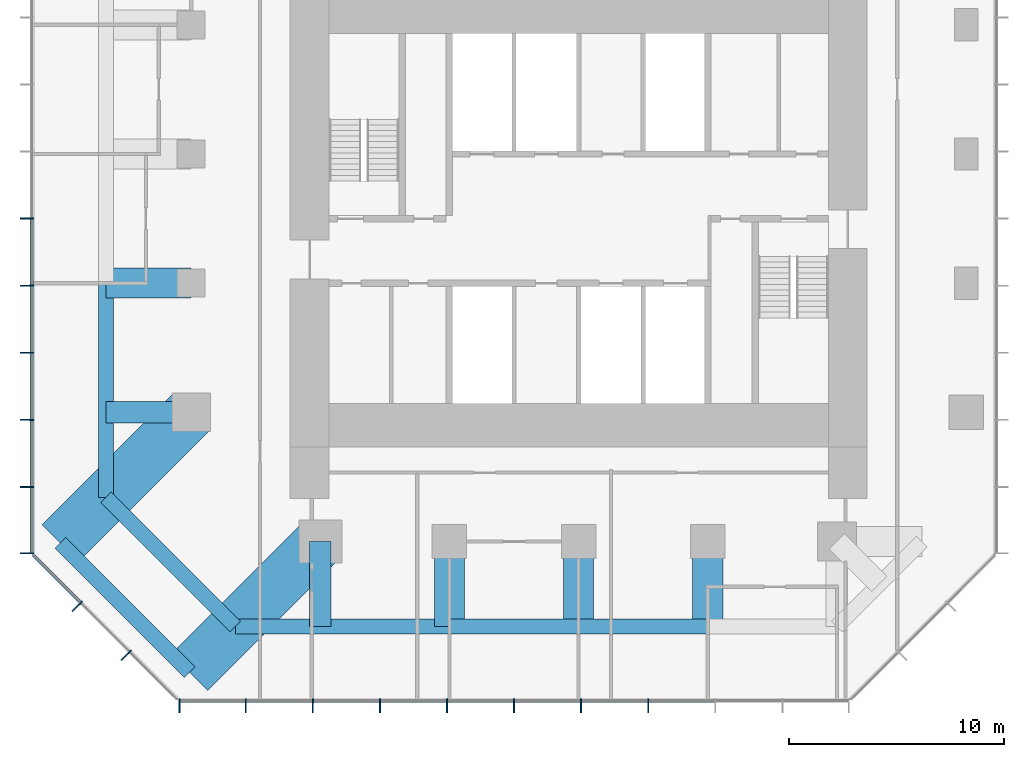
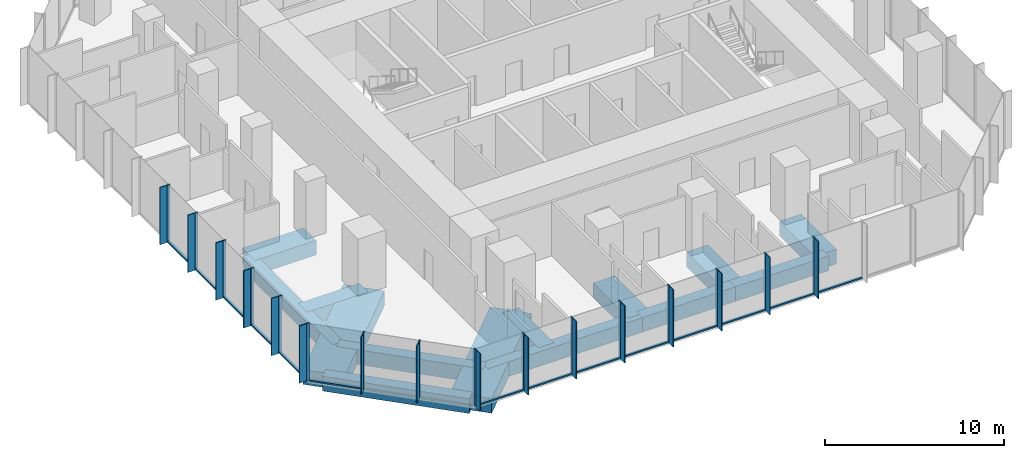
# One storey, part 2 of 11: 46 members, 14 beams, 3 elements without a shape of their own.
"""IFC4 building model written with IfcOpenShell, lengths in metres."""

from ifc_helpers import new_model, si_unit, direction, frame, origin, origin_2d, place, context, subcontext, project, spatial, rectangle, extrude, material, layer, layer_set, material_profile, profile_set, type_object, element, aggregate, save


model = new_model("IFC4")

# Units and contexts
model_context = context("Model", 3, precision=1e-05, world=origin(), true_north=direction((0.0, 1.0)))
body_context = subcontext(model_context, "Body", "Model", "MODEL_VIEW")
ifc_project = project(units=[si_unit("LENGTHUNIT", "METRE"), si_unit("AREAUNIT", "SQUARE_METRE"), si_unit("VOLUMEUNIT", "CUBIC_METRE"), si_unit("PLANEANGLEUNIT", "RADIAN"), si_unit("MASSUNIT", "GRAM", prefix="KILO")], contexts=[model_context])

# Site, building, storey
site_placement = place(None, origin())
site = spatial("IfcSite", under=ifc_project, at=site_placement, CompositionType="ELEMENT")
building_placement = place(site_placement, origin())
building = spatial("IfcBuilding", under=site, at=building_placement, Name="Highveld Stack Headquarters", CompositionType="ELEMENT")
storey_placement = place(building_placement, frame((0.0, 0.0, 216.199951171875)))
storey = spatial("IfcBuildingStorey", under=building, at=storey_placement, Name="L53", CompositionType="ELEMENT", Elevation=216.199951171875)

# Beams
ifc_material_1 = material(Name="Concrete C60/75", Category="concrete")
ifc_material_profile_1 = material_profile(ifc_material_1, rectangle(XDim=1.0, YDim=1.0, at=origin_2d()), Name="RC 1000x1000")
ifc_profile_set_1 = profile_set([ifc_material_profile_1], Name="Concrete C60/75")
beam_type_1 = type_object("IfcBeamType", Name="CANTILEVER RIB RC 1000x1000", PredefinedType="USERDEFINED", material=ifc_profile_set_1)
for number, where, z_axis, x_axis, name in (
    (1, (-12.0, -6.0, -0.75), (-1.0, 0.0, 0.0), (0.0, -1.0, 0.0), "Cantilever rib 4/D L53"),
    (2, (-6.0, -12.0, -0.75), (0.0, -1.0, 0.0), (1.0, 0.0, 0.0), "Cantilever rib 5/C L53"),
):
    element("IfcBeam", number, at=place(storey_placement, frame(where, z_axis=z_axis, x_axis=x_axis)), inside=storey, type_object=beam_type_1, Name=name, ObjectType="CANTILEVER RIB", PredefinedType="USERDEFINED", context=body_context, shape_type="SweptSolid", body=[
        extrude(rectangle(XDim=1.0, YDim=1.0, at=origin_2d()), origin(), (0.0, 0.0, 1.0), 3.949951171875),
    ])
ifc_material_2 = material(Name="Concrete C60/75", Category="concrete")
ifc_material_profile_2 = material_profile(ifc_material_2, rectangle(XDim=1.39990234375, YDim=1.0, at=origin_2d()), Name="RC 1400x1000")
ifc_profile_set_2 = profile_set([ifc_material_profile_2], Name="Concrete C60/75")
beam_type_2 = type_object("IfcBeamType", Name="CANTILEVER RIB RC 1400x1000", PredefinedType="USERDEFINED", material=ifc_profile_set_2)
for number, where, z_axis, x_axis, name in (
    (3, (-12.0, 0.0, -0.75), (-1.0, 0.0, 0.0), (0.0, -1.0, 0.0), "Cantilever rib 4/E L53"),
    (4, (0.0, -12.0, -0.75), (0.0, -1.0, 0.0), (1.0, 0.0, 0.0), "Cantilever rib 6/C L53"),
    (5, (6.0, -12.0, -0.75), (0.0, -1.0, 0.0), (1.0, 0.0, 0.0), "Cantilever rib 7/C L53"),
    (6, (12.0, -12.0, -0.75), (0.0, -1.0, 0.0), (1.0, 0.0, 0.0), "Cantilever rib 8/C L53"),
):
    element("IfcBeam", number, at=place(storey_placement, frame(where, z_axis=z_axis, x_axis=x_axis)), inside=storey, type_object=beam_type_2, Name=name, ObjectType="CANTILEVER RIB", PredefinedType="USERDEFINED", context=body_context, shape_type="SweptSolid", body=[
        extrude(rectangle(XDim=1.39990234375, YDim=1.0, at=origin_2d()), origin(), (0.0, 0.0, 1.0), 3.949951171875),
    ])
ifc_material_3 = material(Name="Concrete C60/75", Category="concrete")
ifc_material_profile_3 = material_profile(ifc_material_3, rectangle(XDim=2.39990234375, YDim=1.0, at=origin_2d()), Name="RC 2400x1000")
ifc_profile_set_3 = profile_set([ifc_material_profile_3], Name="Concrete C60/75")
beam_type_3 = type_object("IfcBeamType", Name="CANTILEVER RIB RC 2400x1000", PredefinedType="USERDEFINED", material=ifc_profile_set_3)
for number, where, z_axis, x_axis, name in (
    (7, (-12.0, -6.0, -0.75), (-0.707106781187, -0.707106781187, 0.0), (0.707106781187, -0.707106781187, 0.0), "Cantilever rib 4/D L53"),
    (8, (-6.0, -12.0, -0.75), (-0.707106781187, -0.707106781187, 0.0), (0.707106781187, -0.707106781187, 0.0), "Cantilever rib 5/C L53"),
):
    element("IfcBeam", number, at=place(storey_placement, frame(where, z_axis=z_axis, x_axis=x_axis)), inside=storey, type_object=beam_type_3, Name=name, ObjectType="CANTILEVER RIB", PredefinedType="USERDEFINED", context=body_context, shape_type="SweptSolid", body=[
        extrude(rectangle(XDim=2.39990234375, YDim=1.0, at=origin_2d()), origin(), (0.0, 0.0, 1.0), 8.585693359375),
    ])

# Curtain wall, members
ifc_material_4 = material(Name="Aluminium bronze anodised", Category="aluminium")
ifc_layer_1 = layer(ifc_material_4, 0.199951171875)
ifc_layer_set_1 = layer_set([ifc_layer_1], Name="Aluminium bronze anodised")
curtain_wall_type_1 = type_object("IfcCurtainWallType", Name="CW1 TOWER UNITISED CURTAIN WALL", PredefinedType="NOTDEFINED", material=ifc_layer_set_1)
curtain_wall_1_placement = place(storey_placement, origin())
curtain_wall_1 = element("IfcCurtainWall", 9, at=curtain_wall_1_placement, inside=storey, type_object=curtain_wall_type_1, Name="Curtain wall CW1 L53 S", PredefinedType="NOTDEFINED")
ifc_material_5 = material(Name="Aluminium bronze anodised", Category="aluminium")
ifc_material_profile_4 = material_profile(ifc_material_5, rectangle(XDim=0.449951171875, YDim=0.06005859375, at=origin_2d()), Name="FIN 450x60")
ifc_profile_set_4 = profile_set([ifc_material_profile_4], Name="Aluminium bronze anodised")
member_type_1 = type_object("IfcMemberType", Name="CW1 BRONZE FIN 450x60", PredefinedType="USERDEFINED", material=ifc_profile_set_4)
member_1_placement = place(storey_placement, frame((-12.54736328125, -19.72509765625, 0.0), z_axis=(0.0, 0.0, 1.0), x_axis=(0.0, 1.0, 0.0)))
member_1 = element("IfcMember", 10, at=member_1_placement, type_object=member_type_1, Name="CW1 fin L53 1", ObjectType="FIN", PredefinedType="USERDEFINED", context=body_context, shape_type="SweptSolid", body=[
    extrude(rectangle(XDim=0.449951171875, YDim=0.06005859375, at=origin_2d()), origin(), (0.0, 0.0, 1.0), 3.900146484375),
])
member_2_placement = place(storey_placement, frame((-9.4638671875, -19.72509765625, 0.0), z_axis=(0.0, 0.0, 1.0), x_axis=(0.0, 1.0, 0.0)))
member_2 = element("IfcMember", 11, at=member_2_placement, type_object=member_type_1, Name="CW1 fin L53 2", ObjectType="FIN", PredefinedType="USERDEFINED", context=body_context, shape_type="SweptSolid", body=[
    extrude(rectangle(XDim=0.449951171875, YDim=0.06005859375, at=origin_2d()), origin(), (0.0, 0.0, 1.0), 3.900146484375),
])
member_3_placement = place(storey_placement, frame((-6.347900390625, -19.72509765625, 0.0), z_axis=(0.0, 0.0, 1.0), x_axis=(0.0, 1.0, 0.0)))
member_3 = element("IfcMember", 12, at=member_3_placement, type_object=member_type_1, Name="CW1 fin L53 3", ObjectType="FIN", PredefinedType="USERDEFINED", context=body_context, shape_type="SweptSolid", body=[
    extrude(rectangle(XDim=0.449951171875, YDim=0.06005859375, at=origin_2d()), origin(), (0.0, 0.0, 1.0), 3.900146484375),
])
member_4_placement = place(storey_placement, frame((-3.23193359375, -19.72509765625, 0.0), z_axis=(0.0, 0.0, 1.0), x_axis=(0.0, 1.0, 0.0)))
member_4 = element("IfcMember", 13, at=member_4_placement, type_object=member_type_1, Name="CW1 fin L53 4", ObjectType="FIN", PredefinedType="USERDEFINED", context=body_context, shape_type="SweptSolid", body=[
    extrude(rectangle(XDim=0.449951171875, YDim=0.06005859375, at=origin_2d()), origin(), (0.0, 0.0, 1.0), 3.900146484375),
])
member_5_placement = place(storey_placement, frame((-0.115966796875, -19.72509765625, 0.0), z_axis=(0.0, 0.0, 1.0), x_axis=(0.0, 1.0, 0.0)))
member_5 = element("IfcMember", 14, at=member_5_placement, type_object=member_type_1, Name="CW1 fin L53 5", ObjectType="FIN", PredefinedType="USERDEFINED", context=body_context, shape_type="SweptSolid", body=[
    extrude(rectangle(XDim=0.449951171875, YDim=0.06005859375, at=origin_2d()), origin(), (0.0, 0.0, 1.0), 3.900146484375),
])
member_6_placement = place(storey_placement, frame((3.0, -19.72509765625, 0.0), z_axis=(0.0, 0.0, 1.0), x_axis=(0.0, 1.0, 0.0)))
member_6 = element("IfcMember", 15, at=member_6_placement, type_object=member_type_1, Name="CW1 fin L53 6", ObjectType="FIN", PredefinedType="USERDEFINED", context=body_context, shape_type="SweptSolid", body=[
    extrude(rectangle(XDim=0.449951171875, YDim=0.06005859375, at=origin_2d()), origin(), (0.0, 0.0, 1.0), 3.900146484375),
])
member_7_placement = place(storey_placement, frame((6.115966796875, -19.72509765625, 0.0), z_axis=(0.0, 0.0, 1.0), x_axis=(0.0, 1.0, 0.0)))
member_7 = element("IfcMember", 16, at=member_7_placement, type_object=member_type_1, Name="CW1 fin L53 7", ObjectType="FIN", PredefinedType="USERDEFINED", context=body_context, shape_type="SweptSolid", body=[
    extrude(rectangle(XDim=0.449951171875, YDim=0.06005859375, at=origin_2d()), origin(), (0.0, 0.0, 1.0), 3.900146484375),
])
member_8_placement = place(storey_placement, frame((9.23193359375, -19.72509765625, 0.0), z_axis=(0.0, 0.0, 1.0), x_axis=(0.0, 1.0, 0.0)))
member_8 = element("IfcMember", 17, at=member_8_placement, type_object=member_type_1, Name="CW1 fin L53 8", ObjectType="FIN", PredefinedType="USERDEFINED", context=body_context, shape_type="SweptSolid", body=[
    extrude(rectangle(XDim=0.449951171875, YDim=0.06005859375, at=origin_2d()), origin(), (0.0, 0.0, 1.0), 3.900146484375),
])

curtain_wall_2_placement = place(storey_placement, origin())
curtain_wall_2 = element("IfcCurtainWall", 18, at=curtain_wall_2_placement, inside=storey, type_object=curtain_wall_type_1, Name="Curtain wall CW1 L53 W", PredefinedType="NOTDEFINED")
member_9_placement = place(storey_placement, frame((-19.72509765625, 3.0, 0.0), z_axis=(0.0, 0.0, 1.0), x_axis=(1.0, 0.0, 0.0)))
member_9 = element("IfcMember", 19, at=member_9_placement, type_object=member_type_1, Name="CW1 fin L53 6", ObjectType="FIN", PredefinedType="USERDEFINED", context=body_context, shape_type="SweptSolid", body=[
    extrude(rectangle(XDim=0.449951171875, YDim=0.06005859375, at=origin_2d()), origin(), (0.0, 0.0, 1.0), 3.900146484375),
])
member_10_placement = place(storey_placement, frame((-19.72509765625, -0.115966796875, 0.0), z_axis=(0.0, 0.0, 1.0), x_axis=(1.0, 0.0, 0.0)))
member_10 = element("IfcMember", 20, at=member_10_placement, type_object=member_type_1, Name="CW1 fin L53 7", ObjectType="FIN", PredefinedType="USERDEFINED", context=body_context, shape_type="SweptSolid", body=[
    extrude(rectangle(XDim=0.449951171875, YDim=0.06005859375, at=origin_2d()), origin(), (0.0, 0.0, 1.0), 3.900146484375),
])
member_11_placement = place(storey_placement, frame((-19.72509765625, -3.23193359375, 0.0), z_axis=(0.0, 0.0, 1.0), x_axis=(1.0, 0.0, 0.0)))
member_11 = element("IfcMember", 21, at=member_11_placement, type_object=member_type_1, Name="CW1 fin L53 8", ObjectType="FIN", PredefinedType="USERDEFINED", context=body_context, shape_type="SweptSolid", body=[
    extrude(rectangle(XDim=0.449951171875, YDim=0.06005859375, at=origin_2d()), origin(), (0.0, 0.0, 1.0), 3.900146484375),
])
member_12_placement = place(storey_placement, frame((-19.72509765625, -6.347900390625, 0.0), z_axis=(0.0, 0.0, 1.0), x_axis=(1.0, 0.0, 0.0)))
member_12 = element("IfcMember", 22, at=member_12_placement, type_object=member_type_1, Name="CW1 fin L53 9", ObjectType="FIN", PredefinedType="USERDEFINED", context=body_context, shape_type="SweptSolid", body=[
    extrude(rectangle(XDim=0.449951171875, YDim=0.06005859375, at=origin_2d()), origin(), (0.0, 0.0, 1.0), 3.900146484375),
])
member_13_placement = place(storey_placement, frame((-19.72509765625, -9.4638671875, 0.0), z_axis=(0.0, 0.0, 1.0), x_axis=(1.0, 0.0, 0.0)))
member_13 = element("IfcMember", 23, at=member_13_placement, type_object=member_type_1, Name="CW1 fin L53 10", ObjectType="FIN", PredefinedType="USERDEFINED", context=body_context, shape_type="SweptSolid", body=[
    extrude(rectangle(XDim=0.449951171875, YDim=0.06005859375, at=origin_2d()), origin(), (0.0, 0.0, 1.0), 3.900146484375),
])
member_14_placement = place(storey_placement, frame((-19.72509765625, -12.54736328125, 0.0), z_axis=(0.0, 0.0, 1.0), x_axis=(1.0, 0.0, 0.0)))
member_14 = element("IfcMember", 24, at=member_14_placement, type_object=member_type_1, Name="CW1 fin L53 11", ObjectType="FIN", PredefinedType="USERDEFINED", context=body_context, shape_type="SweptSolid", body=[
    extrude(rectangle(XDim=0.449951171875, YDim=0.06005859375, at=origin_2d()), origin(), (0.0, 0.0, 1.0), 3.900146484375),
])

# Member
ifc_material_6 = material(Name="Aluminium bronze anodised", Category="aluminium")
ifc_material_profile_5 = material_profile(ifc_material_6, rectangle(XDim=0.199951171875, YDim=0.06494140625, at=origin_2d()), Name="CW1 MULLION 65x200")
ifc_profile_set_5 = profile_set([ifc_material_profile_5], Name="Aluminium bronze anodised")
member_type_2 = type_object("IfcMemberType", Name="CW1 MULLION 65x200", PredefinedType="MULLION", material=ifc_profile_set_5)
member_15_placement = place(storey_placement, frame((-12.54736328125, -19.39990234375, 0.0), z_axis=(0.0, 0.0, 1.0), x_axis=(0.0, 1.0, 0.0)))
member_15 = element("IfcMember", 25, at=member_15_placement, type_object=member_type_2, Name="CW1 mullion L53 1", PredefinedType="MULLION", context=body_context, shape_type="SweptSolid", body=[
    extrude(rectangle(XDim=0.199951171875, YDim=0.06494140625, at=origin_2d()), origin(), (0.0, 0.0, 1.0), 3.900146484375),
])

member_16_placement = place(storey_placement, frame((-9.4638671875, -19.39990234375, 0.0), z_axis=(0.0, 0.0, 1.0), x_axis=(0.0, 1.0, 0.0)))
member_16 = element("IfcMember", 26, at=member_16_placement, type_object=member_type_2, Name="CW1 mullion L53 2", PredefinedType="MULLION", context=body_context, shape_type="SweptSolid", body=[
    extrude(rectangle(XDim=0.199951171875, YDim=0.06494140625, at=origin_2d()), origin(), (0.0, 0.0, 1.0), 3.900146484375),
])

member_17_placement = place(storey_placement, frame((-6.347900390625, -19.39990234375, 0.0), z_axis=(0.0, 0.0, 1.0), x_axis=(0.0, 1.0, 0.0)))
member_17 = element("IfcMember", 27, at=member_17_placement, type_object=member_type_2, Name="CW1 mullion L53 3", PredefinedType="MULLION", context=body_context, shape_type="SweptSolid", body=[
    extrude(rectangle(XDim=0.199951171875, YDim=0.06494140625, at=origin_2d()), origin(), (0.0, 0.0, 1.0), 3.900146484375),
])

member_18_placement = place(storey_placement, frame((-3.23193359375, -19.39990234375, 0.0), z_axis=(0.0, 0.0, 1.0), x_axis=(0.0, 1.0, 0.0)))
member_18 = element("IfcMember", 28, at=member_18_placement, type_object=member_type_2, Name="CW1 mullion L53 4", PredefinedType="MULLION", context=body_context, shape_type="SweptSolid", body=[
    extrude(rectangle(XDim=0.199951171875, YDim=0.06494140625, at=origin_2d()), origin(), (0.0, 0.0, 1.0), 3.900146484375),
])

member_19_placement = place(storey_placement, frame((-0.115966796875, -19.39990234375, 0.0), z_axis=(0.0, 0.0, 1.0), x_axis=(0.0, 1.0, 0.0)))
member_19 = element("IfcMember", 29, at=member_19_placement, type_object=member_type_2, Name="CW1 mullion L53 5", PredefinedType="MULLION", context=body_context, shape_type="SweptSolid", body=[
    extrude(rectangle(XDim=0.199951171875, YDim=0.06494140625, at=origin_2d()), origin(), (0.0, 0.0, 1.0), 3.900146484375),
])

member_20_placement = place(storey_placement, frame((3.0, -19.39990234375, 0.0), z_axis=(0.0, 0.0, 1.0), x_axis=(0.0, 1.0, 0.0)))
member_20 = element("IfcMember", 30, at=member_20_placement, type_object=member_type_2, Name="CW1 mullion L53 6", PredefinedType="MULLION", context=body_context, shape_type="SweptSolid", body=[
    extrude(rectangle(XDim=0.199951171875, YDim=0.06494140625, at=origin_2d()), origin(), (0.0, 0.0, 1.0), 3.900146484375),
])

member_21_placement = place(storey_placement, frame((6.115966796875, -19.39990234375, 0.0), z_axis=(0.0, 0.0, 1.0), x_axis=(0.0, 1.0, 0.0)))
member_21 = element("IfcMember", 31, at=member_21_placement, type_object=member_type_2, Name="CW1 mullion L53 7", PredefinedType="MULLION", context=body_context, shape_type="SweptSolid", body=[
    extrude(rectangle(XDim=0.199951171875, YDim=0.06494140625, at=origin_2d()), origin(), (0.0, 0.0, 1.0), 3.900146484375),
])

member_22_placement = place(storey_placement, frame((9.23193359375, -19.39990234375, 0.0), z_axis=(0.0, 0.0, 1.0), x_axis=(0.0, 1.0, 0.0)))
member_22 = element("IfcMember", 32, at=member_22_placement, type_object=member_type_2, Name="CW1 mullion L53 8", PredefinedType="MULLION", context=body_context, shape_type="SweptSolid", body=[
    extrude(rectangle(XDim=0.199951171875, YDim=0.06494140625, at=origin_2d()), origin(), (0.0, 0.0, 1.0), 3.900146484375),
])

member_23_placement = place(storey_placement, frame((-19.39990234375, 3.0, 0.0), z_axis=(0.0, 0.0, 1.0), x_axis=(1.0, 0.0, 0.0)))
member_23 = element("IfcMember", 33, at=member_23_placement, type_object=member_type_2, Name="CW1 mullion L53 6", PredefinedType="MULLION", context=body_context, shape_type="SweptSolid", body=[
    extrude(rectangle(XDim=0.199951171875, YDim=0.06494140625, at=origin_2d()), origin(), (0.0, 0.0, 1.0), 3.900146484375),
])

member_24_placement = place(storey_placement, frame((-19.39990234375, -0.115966796875, 0.0), z_axis=(0.0, 0.0, 1.0), x_axis=(1.0, 0.0, 0.0)))
member_24 = element("IfcMember", 34, at=member_24_placement, type_object=member_type_2, Name="CW1 mullion L53 7", PredefinedType="MULLION", context=body_context, shape_type="SweptSolid", body=[
    extrude(rectangle(XDim=0.199951171875, YDim=0.06494140625, at=origin_2d()), origin(), (0.0, 0.0, 1.0), 3.900146484375),
])

member_25_placement = place(storey_placement, frame((-19.39990234375, -3.23193359375, 0.0), z_axis=(0.0, 0.0, 1.0), x_axis=(1.0, 0.0, 0.0)))
member_25 = element("IfcMember", 35, at=member_25_placement, type_object=member_type_2, Name="CW1 mullion L53 8", PredefinedType="MULLION", context=body_context, shape_type="SweptSolid", body=[
    extrude(rectangle(XDim=0.199951171875, YDim=0.06494140625, at=origin_2d()), origin(), (0.0, 0.0, 1.0), 3.900146484375),
])

member_26_placement = place(storey_placement, frame((-19.39990234375, -6.347900390625, 0.0), z_axis=(0.0, 0.0, 1.0), x_axis=(1.0, 0.0, 0.0)))
member_26 = element("IfcMember", 36, at=member_26_placement, type_object=member_type_2, Name="CW1 mullion L53 9", PredefinedType="MULLION", context=body_context, shape_type="SweptSolid", body=[
    extrude(rectangle(XDim=0.199951171875, YDim=0.06494140625, at=origin_2d()), origin(), (0.0, 0.0, 1.0), 3.900146484375),
])

member_27_placement = place(storey_placement, frame((-19.39990234375, -9.4638671875, 0.0), z_axis=(0.0, 0.0, 1.0), x_axis=(1.0, 0.0, 0.0)))
member_27 = element("IfcMember", 37, at=member_27_placement, type_object=member_type_2, Name="CW1 mullion L53 10", PredefinedType="MULLION", context=body_context, shape_type="SweptSolid", body=[
    extrude(rectangle(XDim=0.199951171875, YDim=0.06494140625, at=origin_2d()), origin(), (0.0, 0.0, 1.0), 3.900146484375),
])

member_28_placement = place(storey_placement, frame((-19.39990234375, -12.54736328125, 0.0), z_axis=(0.0, 0.0, 1.0), x_axis=(1.0, 0.0, 0.0)))
member_28 = element("IfcMember", 38, at=member_28_placement, type_object=member_type_2, Name="CW1 mullion L53 11", PredefinedType="MULLION", context=body_context, shape_type="SweptSolid", body=[
    extrude(rectangle(XDim=0.199951171875, YDim=0.06494140625, at=origin_2d()), origin(), (0.0, 0.0, 1.0), 3.900146484375),
])

ifc_material_7 = material(Name="Aluminium bronze anodised", Category="aluminium")
ifc_material_profile_6 = material_profile(ifc_material_7, rectangle(XDim=0.14990234375, YDim=0.10009765625, at=origin_2d()), Name="CW1 TRANSOM 150x100")
ifc_profile_set_6 = profile_set([ifc_material_profile_6], Name="Aluminium bronze anodised")
member_type_3 = type_object("IfcMemberType", Name="CW1 STACK TRANSOM 150x100", PredefinedType="USERDEFINED", material=ifc_profile_set_6)
member_29_placement = place(storey_placement, frame((-12.514892578125, -19.39990234375, 0.050048828125), z_axis=(1.0, 0.0, 0.0), x_axis=(0.0, 1.0, 0.0)))
member_29 = element("IfcMember", 39, at=member_29_placement, type_object=member_type_3, Name="CW1 transom L53 1.1", ObjectType="TRANSOM", PredefinedType="USERDEFINED", context=body_context, shape_type="SweptSolid", body=[
    extrude(rectangle(XDim=0.14990234375, YDim=0.10009765625, at=origin_2d()), origin(), (0.0, 0.0, 1.0), 3.0185546875),
])

member_30_placement = place(storey_placement, frame((-9.431396484375, -19.39990234375, 0.050048828125), z_axis=(1.0, 0.0, 0.0), x_axis=(0.0, 1.0, 0.0)))
member_30 = element("IfcMember", 40, at=member_30_placement, type_object=member_type_3, Name="CW1 transom L53 2.1", ObjectType="TRANSOM", PredefinedType="USERDEFINED", context=body_context, shape_type="SweptSolid", body=[
    extrude(rectangle(XDim=0.14990234375, YDim=0.10009765625, at=origin_2d()), origin(), (0.0, 0.0, 1.0), 3.051025390625),
])

member_31_placement = place(storey_placement, frame((-6.3154296875, -19.39990234375, 0.050048828125), z_axis=(1.0, 0.0, 0.0), x_axis=(0.0, 1.0, 0.0)))
member_31 = element("IfcMember", 41, at=member_31_placement, type_object=member_type_3, Name="CW1 transom L53 3.1", ObjectType="TRANSOM", PredefinedType="USERDEFINED", context=body_context, shape_type="SweptSolid", body=[
    extrude(rectangle(XDim=0.14990234375, YDim=0.10009765625, at=origin_2d()), origin(), (0.0, 0.0, 1.0), 3.051025390625),
])

member_32_placement = place(storey_placement, frame((-3.199462890625, -19.39990234375, 0.050048828125), z_axis=(1.0, 0.0, 0.0), x_axis=(0.0, 1.0, 0.0)))
member_32 = element("IfcMember", 42, at=member_32_placement, type_object=member_type_3, Name="CW1 transom L53 4.1", ObjectType="TRANSOM", PredefinedType="USERDEFINED", context=body_context, shape_type="SweptSolid", body=[
    extrude(rectangle(XDim=0.14990234375, YDim=0.10009765625, at=origin_2d()), origin(), (0.0, 0.0, 1.0), 3.051025390625),
])

member_33_placement = place(storey_placement, frame((-0.08349609375, -19.39990234375, 0.050048828125), z_axis=(1.0, 0.0, 0.0), x_axis=(0.0, 1.0, 0.0)))
member_33 = element("IfcMember", 43, at=member_33_placement, type_object=member_type_3, Name="CW1 transom L53 5.1", ObjectType="TRANSOM", PredefinedType="USERDEFINED", context=body_context, shape_type="SweptSolid", body=[
    extrude(rectangle(XDim=0.14990234375, YDim=0.10009765625, at=origin_2d()), origin(), (0.0, 0.0, 1.0), 3.051025390625),
])

member_34_placement = place(storey_placement, frame((3.032470703125, -19.39990234375, 0.050048828125), z_axis=(1.0, 0.0, 0.0), x_axis=(0.0, 1.0, 0.0)))
member_34 = element("IfcMember", 44, at=member_34_placement, type_object=member_type_3, Name="CW1 transom L53 6.1", ObjectType="TRANSOM", PredefinedType="USERDEFINED", context=body_context, shape_type="SweptSolid", body=[
    extrude(rectangle(XDim=0.14990234375, YDim=0.10009765625, at=origin_2d()), origin(), (0.0, 0.0, 1.0), 3.051025390625),
])

member_35_placement = place(storey_placement, frame((6.1484375, -19.39990234375, 0.050048828125), z_axis=(1.0, 0.0, 0.0), x_axis=(0.0, 1.0, 0.0)))
member_35 = element("IfcMember", 45, at=member_35_placement, type_object=member_type_3, Name="CW1 transom L53 7.1", ObjectType="TRANSOM", PredefinedType="USERDEFINED", context=body_context, shape_type="SweptSolid", body=[
    extrude(rectangle(XDim=0.14990234375, YDim=0.10009765625, at=origin_2d()), origin(), (0.0, 0.0, 1.0), 3.051025390625),
])

member_36_placement = place(storey_placement, frame((9.264404296875, -19.39990234375, 0.050048828125), z_axis=(1.0, 0.0, 0.0), x_axis=(0.0, 1.0, 0.0)))
member_36 = element("IfcMember", 46, at=member_36_placement, type_object=member_type_3, Name="CW1 transom L53 8.1", ObjectType="TRANSOM", PredefinedType="USERDEFINED", context=body_context, shape_type="SweptSolid", body=[
    extrude(rectangle(XDim=0.14990234375, YDim=0.10009765625, at=origin_2d()), origin(), (0.0, 0.0, 1.0), 3.051025390625),
])

aggregate(curtain_wall_1, [member_15, member_1, member_16, member_2, member_17, member_3, member_18, member_4, member_19, member_5, member_20, member_6, member_21, member_7, member_22, member_8, member_29, member_30, member_31, member_32, member_33, member_34, member_35, member_36])

member_37_placement = place(storey_placement, frame((-19.39990234375, 2.967529296875, 0.050048828125), z_axis=(0.0, -1.0, 0.0), x_axis=(1.0, 0.0, 0.0)))
member_37 = element("IfcMember", 47, at=member_37_placement, type_object=member_type_3, Name="CW1 transom L53 6.1", ObjectType="TRANSOM", PredefinedType="USERDEFINED", context=body_context, shape_type="SweptSolid", body=[
    extrude(rectangle(XDim=0.14990234375, YDim=0.10009765625, at=origin_2d()), origin(), (0.0, 0.0, 1.0), 3.051025390625),
])

member_38_placement = place(storey_placement, frame((-19.39990234375, -0.1484375, 0.050048828125), z_axis=(0.0, -1.0, 0.0), x_axis=(1.0, 0.0, 0.0)))
member_38 = element("IfcMember", 48, at=member_38_placement, type_object=member_type_3, Name="CW1 transom L53 7.1", ObjectType="TRANSOM", PredefinedType="USERDEFINED", context=body_context, shape_type="SweptSolid", body=[
    extrude(rectangle(XDim=0.14990234375, YDim=0.10009765625, at=origin_2d()), origin(), (0.0, 0.0, 1.0), 3.051025390625),
])

member_39_placement = place(storey_placement, frame((-19.39990234375, -3.264404296875, 0.050048828125), z_axis=(0.0, -1.0, 0.0), x_axis=(1.0, 0.0, 0.0)))
member_39 = element("IfcMember", 49, at=member_39_placement, type_object=member_type_3, Name="CW1 transom L53 8.1", ObjectType="TRANSOM", PredefinedType="USERDEFINED", context=body_context, shape_type="SweptSolid", body=[
    extrude(rectangle(XDim=0.14990234375, YDim=0.10009765625, at=origin_2d()), origin(), (0.0, 0.0, 1.0), 3.051025390625),
])

member_40_placement = place(storey_placement, frame((-19.39990234375, -6.38037109375, 0.050048828125), z_axis=(0.0, -1.0, 0.0), x_axis=(1.0, 0.0, 0.0)))
member_40 = element("IfcMember", 50, at=member_40_placement, type_object=member_type_3, Name="CW1 transom L53 9.1", ObjectType="TRANSOM", PredefinedType="USERDEFINED", context=body_context, shape_type="SweptSolid", body=[
    extrude(rectangle(XDim=0.14990234375, YDim=0.10009765625, at=origin_2d()), origin(), (0.0, 0.0, 1.0), 3.051025390625),
])

member_41_placement = place(storey_placement, frame((-19.39990234375, -9.496337890625, 0.050048828125), z_axis=(0.0, -1.0, 0.0), x_axis=(1.0, 0.0, 0.0)))
member_41 = element("IfcMember", 51, at=member_41_placement, type_object=member_type_3, Name="CW1 transom L53 10.1", ObjectType="TRANSOM", PredefinedType="USERDEFINED", context=body_context, shape_type="SweptSolid", body=[
    extrude(rectangle(XDim=0.14990234375, YDim=0.10009765625, at=origin_2d()), origin(), (0.0, 0.0, 1.0), 3.0185546875),
])

aggregate(curtain_wall_2, [member_23, member_9, member_24, member_10, member_25, member_11, member_26, member_12, member_27, member_13, member_28, member_14, member_37, member_38, member_39, member_40, member_41])

# Curtain wall, members
ifc_material_8 = material(Name="Aluminium bronze anodised", Category="aluminium")
ifc_layer_2 = layer(ifc_material_8, 0.199951171875)
ifc_layer_set_2 = layer_set([ifc_layer_2], Name="Aluminium bronze anodised")
curtain_wall_type_2 = type_object("IfcCurtainWallType", Name="CW2 TOWER CHAMFER UNITISED CURTAIN WALL", PredefinedType="NOTDEFINED", material=ifc_layer_set_2)
curtain_wall_3_placement = place(storey_placement, origin())
curtain_wall_3 = element("IfcCurtainWall", 52, at=curtain_wall_3_placement, inside=storey, type_object=curtain_wall_type_2, Name="Curtain wall CW2 L53 SW", PredefinedType="NOTDEFINED")
ifc_material_9 = material(Name="Aluminium bronze anodised", Category="aluminium")
ifc_material_profile_7 = material_profile(ifc_material_9, rectangle(XDim=0.449951171875, YDim=0.06005859375, at=origin_2d()), Name="FIN 450x60")
ifc_profile_set_7 = profile_set([ifc_material_profile_7], Name="Aluminium bronze anodised")
member_type_4 = type_object("IfcMemberType", Name="CW2 BRONZE FIN 450x60", PredefinedType="USERDEFINED", material=ifc_profile_set_7)
member_42_placement = place(storey_placement, frame((-17.3564453125, -15.0830078125, 0.0), z_axis=(0.0, 0.0, 1.0), x_axis=(0.707106781187, 0.707106781187, 0.0)))
member_42 = element("IfcMember", 53, at=member_42_placement, type_object=member_type_4, Name="CW2 fin L53 1", ObjectType="FIN", PredefinedType="USERDEFINED", context=body_context, shape_type="SweptSolid", body=[
    extrude(rectangle(XDim=0.449951171875, YDim=0.06005859375, at=origin_2d()), origin(), (0.0, 0.0, 1.0), 3.900146484375),
])
member_43_placement = place(storey_placement, frame((-15.0830078125, -17.3564453125, 0.0), z_axis=(0.0, 0.0, 1.0), x_axis=(0.707106781187, 0.707106781187, 0.0)))
member_43 = element("IfcMember", 54, at=member_43_placement, type_object=member_type_4, Name="CW2 fin L53 2", ObjectType="FIN", PredefinedType="USERDEFINED", context=body_context, shape_type="SweptSolid", body=[
    extrude(rectangle(XDim=0.449951171875, YDim=0.06005859375, at=origin_2d()), origin(), (0.0, 0.0, 1.0), 3.900146484375),
])
ifc_material_10 = material(Name="Aluminium bronze anodised", Category="aluminium")
ifc_material_profile_8 = material_profile(ifc_material_10, rectangle(XDim=0.199951171875, YDim=0.06494140625, at=origin_2d()), Name="CW2 MULLION 65x200")
ifc_profile_set_8 = profile_set([ifc_material_profile_8], Name="Aluminium bronze anodised")
member_type_5 = type_object("IfcMemberType", Name="CW2 MULLION 65x200", PredefinedType="MULLION", material=ifc_profile_set_8)
member_44_placement = place(storey_placement, frame((-17.126708984375, -14.853271484375, 0.0), z_axis=(0.0, 0.0, 1.0), x_axis=(0.707106781187, 0.707106781187, 0.0)))
member_44 = element("IfcMember", 55, at=member_44_placement, type_object=member_type_5, Name="CW2 mullion L53 1", PredefinedType="MULLION", context=body_context, shape_type="SweptSolid", body=[
    extrude(rectangle(XDim=0.199951171875, YDim=0.06494140625, at=origin_2d()), origin(), (0.0, 0.0, 1.0), 3.900146484375),
])
member_45_placement = place(storey_placement, frame((-14.853271484375, -17.126708984375, 0.0), z_axis=(0.0, 0.0, 1.0), x_axis=(0.707106781187, 0.707106781187, 0.0)))
member_45 = element("IfcMember", 56, at=member_45_placement, type_object=member_type_5, Name="CW2 mullion L53 2", PredefinedType="MULLION", context=body_context, shape_type="SweptSolid", body=[
    extrude(rectangle(XDim=0.199951171875, YDim=0.06494140625, at=origin_2d()), origin(), (0.0, 0.0, 1.0), 3.900146484375),
])
ifc_material_11 = material(Name="Aluminium bronze anodised", Category="aluminium")
ifc_material_profile_9 = material_profile(ifc_material_11, rectangle(XDim=0.14990234375, YDim=0.10009765625, at=origin_2d()), Name="CW2 TRANSOM 150x100")
ifc_profile_set_9 = profile_set([ifc_material_profile_9], Name="Aluminium bronze anodised")
member_type_6 = type_object("IfcMemberType", Name="CW2 STACK TRANSOM 150x100", PredefinedType="USERDEFINED", material=ifc_profile_set_9)
member_46_placement = place(storey_placement, frame((-19.329345703125, -12.650634765625, 0.050048828125), z_axis=(0.707106781187, -0.707106781187, 0.0), x_axis=(0.707106781187, 0.707106781187, 0.0)))
member_46 = element("IfcMember", 57, at=member_46_placement, type_object=member_type_6, Name="CW2 transom L53 1.1", ObjectType="TRANSOM", PredefinedType="USERDEFINED", context=body_context, shape_type="SweptSolid", body=[
    extrude(rectangle(XDim=0.14990234375, YDim=0.10009765625, at=origin_2d()), origin(), (0.0, 0.0, 1.0), 3.08251953125),
])
aggregate(curtain_wall_3, [member_44, member_42, member_45, member_43, member_46])

# Beams
ifc_material_12 = material(Name="Concrete C60/75", Category="concrete")
ifc_material_profile_10 = material_profile(ifc_material_12, rectangle(XDim=0.699951171875, YDim=1.0, at=origin_2d()), Name="RC 700x1000")
ifc_profile_set_10 = profile_set([ifc_material_profile_10], Name="Concrete C60/75")
beam_type_4 = type_object("IfcBeamType", Name="RIB TIP BEAM RC 700x1000", PredefinedType="SPANDREL", material=ifc_profile_set_10)
for number, where, z_axis, x_axis, name in (
    (58, (-15.949951171875, -9.949951171875, -0.75), (0.0, 1.0, 0.0), (-1.0, 0.0, 0.0), "Rib tip beam 4/D to 4/E L53"),
    (59, (-9.949951171875, -15.949951171875, -0.75), (1.0, 0.0, 0.0), (0.0, 1.0, 0.0), "Rib tip beam 5/C to 6/C L53"),
):
    element("IfcBeam", number, at=place(storey_placement, frame(where, z_axis=z_axis, x_axis=x_axis)), inside=storey, type_object=beam_type_4, Name=name, PredefinedType="SPANDREL", context=body_context, shape_type="SweptSolid", body=[
        extrude(rectangle(XDim=0.699951171875, YDim=1.0, at=origin_2d()), origin(), (0.0, 0.0, 1.0), 9.949951171875),
    ])
for number, where, z_axis, x_axis, name in (
    (60, (0.0, -15.949951171875, -0.75), (1.0, 0.0, 0.0), (0.0, 1.0, 0.0), "Rib tip beam 6/C to 7/C L53"),
    (61, (6.0, -15.949951171875, -0.75), (1.0, 0.0, 0.0), (0.0, 1.0, 0.0), "Rib tip beam 7/C to 8/C L53"),
):
    element("IfcBeam", number, at=place(storey_placement, frame(where, z_axis=z_axis, x_axis=x_axis)), inside=storey, type_object=beam_type_4, Name=name, PredefinedType="SPANDREL", context=body_context, shape_type="SweptSolid", body=[
        extrude(rectangle(XDim=0.699951171875, YDim=1.0, at=origin_2d()), origin(), (0.0, 0.0, 1.0), 6.0),
    ])
for number, where, z_axis, x_axis, name in (
    (62, (-15.949951171875, -9.949951171875, -0.75), (0.707106781187, -0.707106781187, 0.0), (0.707106781187, 0.707106781187, 0.0), "Rib tip beam 4/D to 5/C chamfer L53"),
    (63, (-18.071044921875, -12.071044921875, -0.75), (0.707106781187, -0.707106781187, 0.0), (0.707106781187, 0.707106781187, 0.0), "Rib tip beam 4/D to 5/C chamfer edge L53"),
):
    element("IfcBeam", number, at=place(storey_placement, frame(where, z_axis=z_axis, x_axis=x_axis)), inside=storey, type_object=beam_type_4, Name=name, PredefinedType="SPANDREL", context=body_context, shape_type="SweptSolid", body=[
        extrude(rectangle(XDim=0.699951171875, YDim=1.0, at=origin_2d()), origin(), (0.0, 0.0, 1.0), 8.4853515625),
    ])

save(model, "model.ifc")
